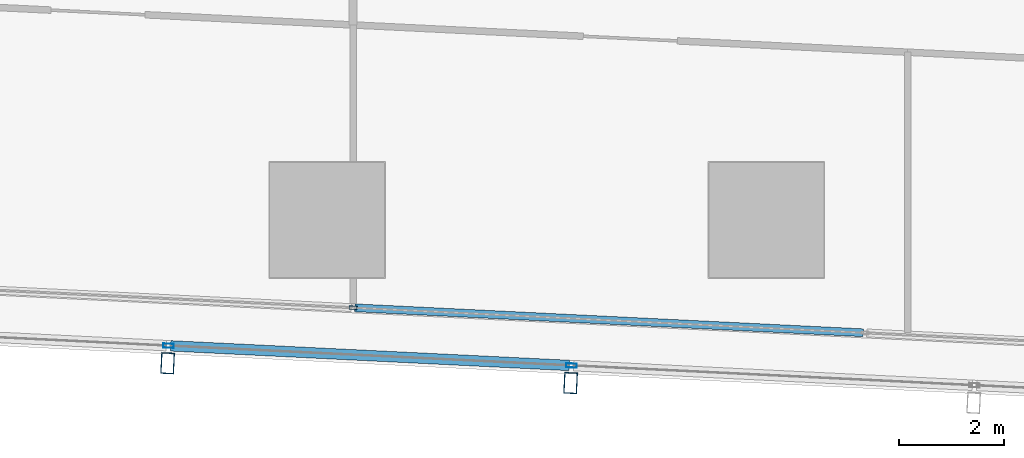
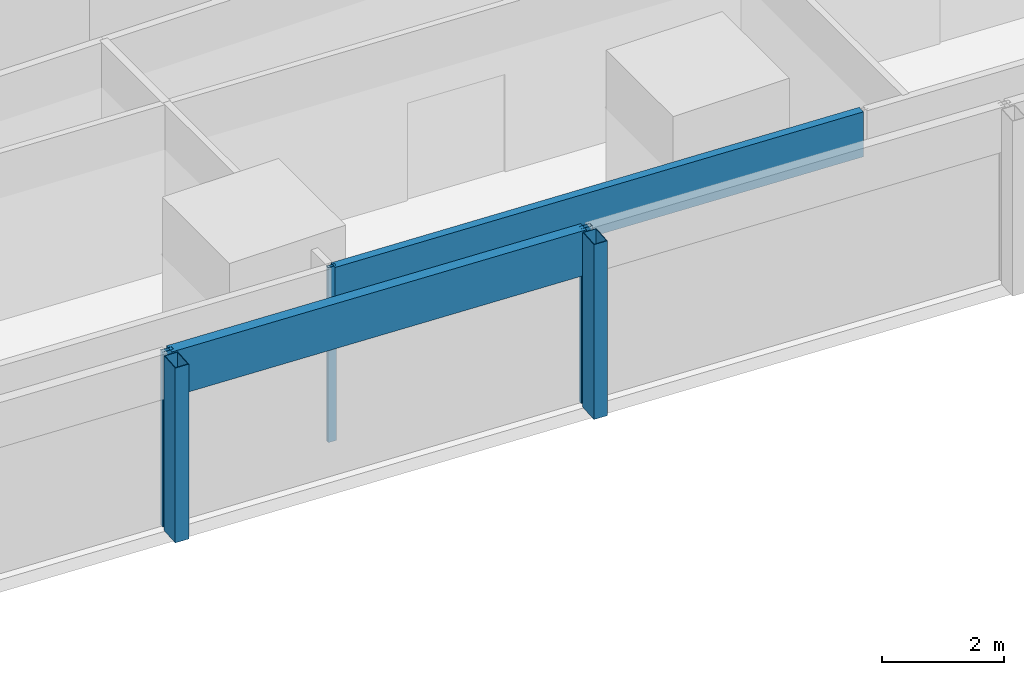
# One storey, part 5 of 44: 7 members, 2 elements without a shape of their own.
"""IFC4 building model written with IfcOpenShell, lengths in metres."""

from ifc_helpers import new_model, si_unit, direction, frame, origin, origin_2d, place, context, subcontext, project, spatial, hollow_rectangle, extrude, material, material_profile, profile_set, type_object, element, aggregate, save


model = new_model("IFC4")

# Units and contexts
model_context = context("Model", 3, precision=1e-05, world=origin(), true_north=direction((0.0, 1.0)))
body_context = subcontext(model_context, "Body", "Model", "MODEL_VIEW")
ifc_project = project(units=[si_unit("LENGTHUNIT", "METRE"), si_unit("AREAUNIT", "SQUARE_METRE"), si_unit("VOLUMEUNIT", "CUBIC_METRE"), si_unit("PLANEANGLEUNIT", "RADIAN"), si_unit("MASSUNIT", "GRAM", prefix="KILO")], contexts=[model_context])

# Site, building, storey
site_placement = place(None, origin())
site = spatial("IfcSite", under=ifc_project, at=site_placement, CompositionType="ELEMENT")
building_placement = place(site_placement, origin())
building = spatial("IfcBuilding", under=site, at=building_placement, Name="Rekha Terrace Tower", CompositionType="ELEMENT")
storey_placement = place(building_placement, frame((0.0, 0.0, 74.14990234375)))
storey = spatial("IfcBuildingStorey", under=building, at=storey_placement, Name="L18", CompositionType="ELEMENT", Elevation=74.14990234375)

# Curtain wall, members
ifc_material_1 = material(Name="Aluminium framing", Category="aluminium")
curtain_wall_type_1 = type_object("IfcCurtainWallType", Name="CW2 double skin outer glazing", PredefinedType="USERDEFINED", material=ifc_material_1)
curtain_wall_1_placement = place(storey_placement, origin())
curtain_wall_1 = element("IfcCurtainWall", 1, at=curtain_wall_1_placement, inside=storey, type_object=curtain_wall_type_1, Name="CW2 double skin outer glazing", ObjectType="DOUBLE SKIN OUTER GLAZING", PredefinedType="USERDEFINED")
ifc_material_2 = material(Name="Steel S355 with fluorocarbon finish", Category="steel")
ifc_material_profile_1 = material_profile(ifc_material_2, hollow_rectangle(XDim=0.25, YDim=0.39990234375, WallThickness=0.012451171875, at=origin_2d()), Name="RHS400x250x12.5")
ifc_profile_set_1 = profile_set([ifc_material_profile_1], Name="Steel S355 with fluorocarbon finish")
member_type_1 = type_object("IfcMemberType", Name="BL1 facade blade RHS 400 x 250", PredefinedType="USERDEFINED", material=ifc_profile_set_1)
member_1_placement = place(storey_placement, frame((22.14990234375, 5.6611328125, 0.0), z_axis=(0.0, 0.0, 1.0), x_axis=(0.998796226835, -0.049051985279, 0.0)))
member_1 = element("IfcMember", 2, at=member_1_placement, type_object=member_type_1, Name="Facade blade", ObjectType="FACADE BLADE", PredefinedType="USERDEFINED", context=body_context, shape_type="SweptSolid", body=[
    extrude(hollow_rectangle(XDim=0.25, YDim=0.39990234375, WallThickness=0.012451171875, at=origin_2d()), origin(), (0.0, 0.0, 1.0), 3.5),
])
member_2_placement = place(storey_placement, frame((29.856201171875, 5.28271484375, 0.0), z_axis=(0.0, 0.0, 1.0), x_axis=(0.998796226835, -0.049051985279, 0.0)))
member_2 = element("IfcMember", 3, at=member_2_placement, type_object=member_type_1, Name="Facade blade", ObjectType="FACADE BLADE", PredefinedType="USERDEFINED", context=body_context, shape_type="SweptSolid", body=[
    extrude(hollow_rectangle(XDim=0.25, YDim=0.39990234375, WallThickness=0.012451171875, at=origin_2d()), origin(), (0.0, 0.0, 1.0), 3.5),
])

curtain_wall_type_2 = type_object("IfcCurtainWallType", Name="CW1 double skin inner glazing", PredefinedType="USERDEFINED", material=ifc_material_1)
curtain_wall_2_placement = place(storey_placement, origin())
curtain_wall_2 = element("IfcCurtainWall", 4, at=curtain_wall_2_placement, inside=storey, type_object=curtain_wall_type_2, Name="CW1 double skin inner glazing", ObjectType="DOUBLE SKIN INNER GLAZING", PredefinedType="USERDEFINED")
ifc_material_3 = material(Name="Aluminium mullion section", Category="aluminium")
ifc_material_profile_2 = material_profile(ifc_material_3, hollow_rectangle(XDim=0.06494140625, YDim=0.14990234375, WallThickness=0.00390625, at=origin_2d()), Name="AL RHS 65x150")
ifc_profile_set_2 = profile_set([ifc_material_profile_2], Name="Aluminium mullion section")
member_type_2 = type_object("IfcMemberType", Name="CW1 mullion RHS 65 x 150", PredefinedType="MULLION", material=ifc_profile_set_2)
member_3_placement = place(storey_placement, frame((25.696044921875, 6.723388671875, 0.0), z_axis=(0.0, 0.0, 1.0), x_axis=(0.049051717746, 0.998796239974, 0.0)))
member_3 = element("IfcMember", 5, at=member_3_placement, type_object=member_type_2, Name="CW1 mullion 2", PredefinedType="MULLION", context=body_context, shape_type="SweptSolid", body=[
    extrude(hollow_rectangle(XDim=0.06494140625, YDim=0.14990234375, WallThickness=0.00390625, at=origin_2d()), origin(), (0.0, 0.0, 1.0), 3.5),
])
ifc_material_4 = material(Name="Insulated aluminium spandrel box", Category="aluminium")
ifc_material_profile_3 = material_profile(ifc_material_4, hollow_rectangle(XDim=0.14990234375, YDim=0.89990234375, WallThickness=0.0029296875, at=origin_2d()), Name="AL SPANDREL BOX 150x900")
ifc_profile_set_3 = profile_set([ifc_material_profile_3], Name="Insulated aluminium spandrel box")
member_type_3 = type_object("IfcMemberType", Name="CW1 spandrel transom 150 x 900", PredefinedType="USERDEFINED", material=ifc_profile_set_3)
member_4_placement = place(storey_placement, frame((25.728515625, 6.721923828125, 3.050048828125), z_axis=(0.998796042167, -0.049055745348, 0.0), x_axis=(0.049055745348, 0.998796042167, 0.0)))
member_4 = element("IfcMember", 6, at=member_4_placement, type_object=member_type_3, Name="CW1 spandrel transom 2", ObjectType="TRANSOM", PredefinedType="USERDEFINED", context=body_context, shape_type="SweptSolid", body=[
    extrude(hollow_rectangle(XDim=0.14990234375, YDim=0.89990234375, WallThickness=0.0029296875, at=origin_2d()), origin(), (0.0, 0.0, 1.0), 9.734619140625),
])
aggregate(curtain_wall_2, [member_3, member_4])

# Member
ifc_material_profile_4 = material_profile(ifc_material_3, hollow_rectangle(XDim=0.080078125, YDim=0.199951171875, WallThickness=0.00390625, at=origin_2d()), Name="AL RHS 80x200")
ifc_profile_set_4 = profile_set([ifc_material_profile_4], Name="Aluminium mullion section")
member_type_4 = type_object("IfcMemberType", Name="CW2 mullion RHS 80 x 200", PredefinedType="MULLION", material=ifc_profile_set_4)
member_5_placement = place(storey_placement, frame((22.166259765625, 5.99560546875, 0.0), z_axis=(0.0, 0.0, 1.0), x_axis=(0.049051717746, 0.998796239974, 0.0)))
member_5 = element("IfcMember", 7, at=member_5_placement, type_object=member_type_4, Name="CW2 mullion 3", PredefinedType="MULLION", context=body_context, shape_type="SweptSolid", body=[
    extrude(hollow_rectangle(XDim=0.080078125, YDim=0.199951171875, WallThickness=0.00390625, at=origin_2d()), origin(), (0.0, 0.0, 1.0), 3.5),
])

member_6_placement = place(storey_placement, frame((29.872802734375, 5.6171875, 0.0), z_axis=(0.0, 0.0, 1.0), x_axis=(0.049051717746, 0.998796239974, 0.0)))
member_6 = element("IfcMember", 8, at=member_6_placement, type_object=member_type_4, Name="CW2 mullion 4", PredefinedType="MULLION", context=body_context, shape_type="SweptSolid", body=[
    extrude(hollow_rectangle(XDim=0.080078125, YDim=0.199951171875, WallThickness=0.00390625, at=origin_2d()), origin(), (0.0, 0.0, 1.0), 3.5),
])

ifc_material_profile_5 = material_profile(ifc_material_4, hollow_rectangle(XDim=0.199951171875, YDim=0.89990234375, WallThickness=0.0029296875, at=origin_2d()), Name="AL SPANDREL BOX 200x900")
ifc_profile_set_5 = profile_set([ifc_material_profile_5], Name="Insulated aluminium spandrel box")
member_type_5 = type_object("IfcMemberType", Name="CW2 spandrel transom 200 x 900", PredefinedType="USERDEFINED", material=ifc_profile_set_5)
member_7_placement = place(storey_placement, frame((22.206298828125, 5.99365234375, 3.050048828125), z_axis=(0.998796434643, -0.049047753721, 0.0), x_axis=(0.049047753721, 0.998796434643, 0.0)))
member_7 = element("IfcMember", 9, at=member_7_placement, type_object=member_type_5, Name="CW2 spandrel transom 3", ObjectType="TRANSOM", PredefinedType="USERDEFINED", context=body_context, shape_type="SweptSolid", body=[
    extrude(hollow_rectangle(XDim=0.199951171875, YDim=0.89990234375, WallThickness=0.0029296875, at=origin_2d()), origin(), (0.0, 0.0, 1.0), 7.6357421875),
])

aggregate(curtain_wall_1, [member_5, member_6, member_7, member_1, member_2])

save(model, "model.ifc")
